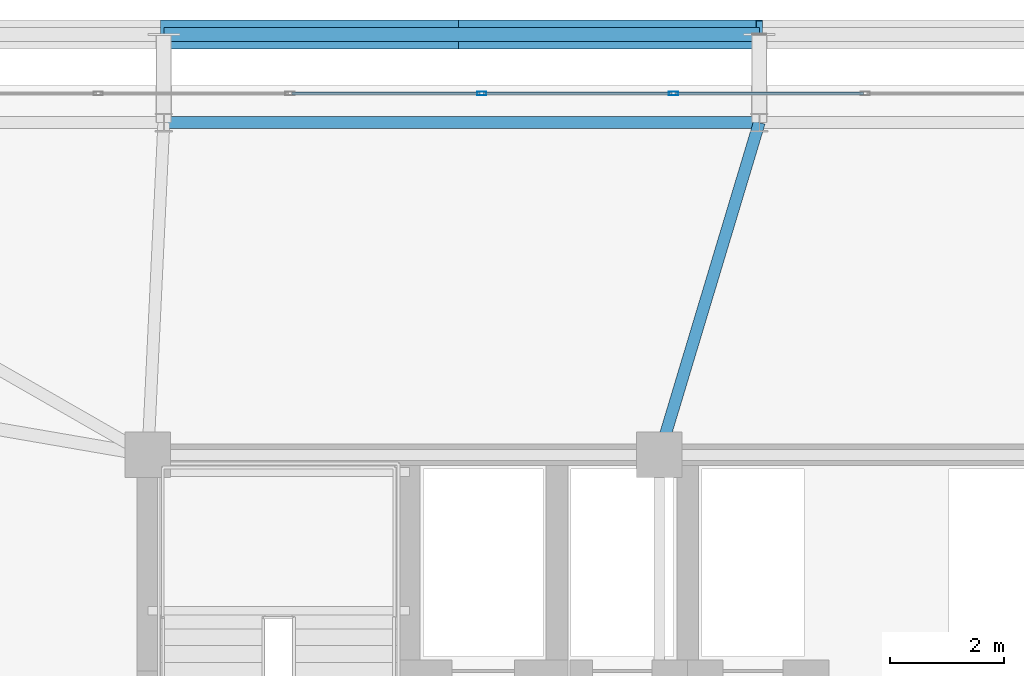
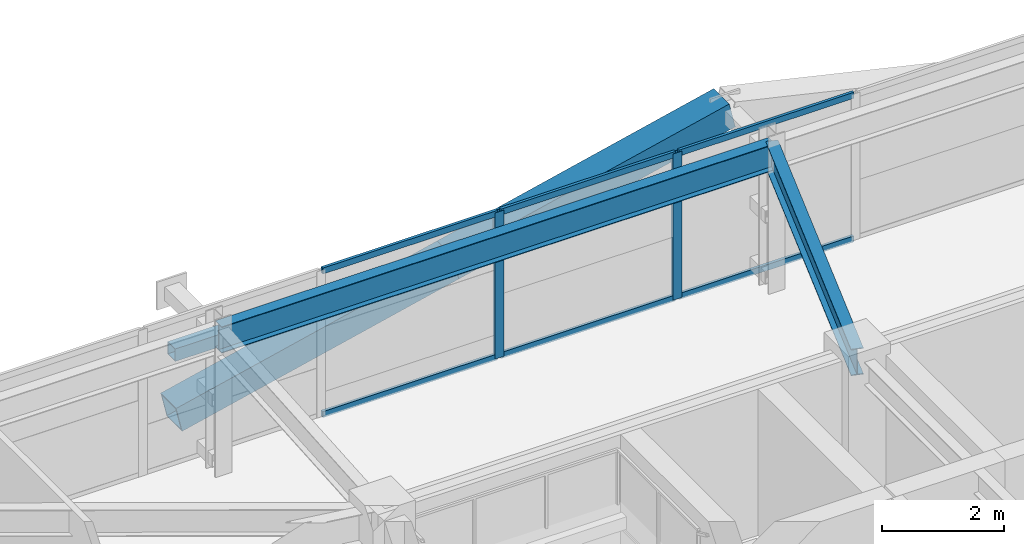
# One storey, part 36 of 59: 11 members, 2 beams, 1 element without a shape of its own.
"""IFC4 building model written with IfcOpenShell, lengths in metres."""

from ifc_helpers import new_model, si_unit, direction, frame, origin, origin_2d, place, context, subcontext, project, spatial, hollow_rectangle, i_section, extrude, source, transform, mapped, material, layer, layer_set, material_profile, profile_set, type_object, element, aggregate, save


model = new_model("IFC4")

# Units and contexts
model_context = context("Model", 3, precision=1e-05, world=origin(), true_north=direction((0.0, 1.0)))
body_context = subcontext(model_context, "Body", "Model", "MODEL_VIEW")
ifc_project = project(units=[si_unit("LENGTHUNIT", "METRE"), si_unit("AREAUNIT", "SQUARE_METRE"), si_unit("VOLUMEUNIT", "CUBIC_METRE"), si_unit("PLANEANGLEUNIT", "RADIAN"), si_unit("MASSUNIT", "GRAM", prefix="KILO")], contexts=[model_context])

# Site, building, storey
site_placement = place(None, origin())
site = spatial("IfcSite", under=ifc_project, at=site_placement, CompositionType="ELEMENT")
building_placement = place(site_placement, origin())
building = spatial("IfcBuilding", under=site, at=building_placement, Name="Taldren Reach Tower", CompositionType="ELEMENT")
storey_placement = place(building_placement, frame((0.0, 0.0, 45.14990234375)))
storey = spatial("IfcBuildingStorey", under=building, at=storey_placement, Name="L13", CompositionType="ELEMENT", Elevation=45.14990234375)

# Beams
ifc_material_1 = material(Name="Steel Gr 350 (350PLUS)", Category="steel")
ifc_material_profile_1 = material_profile(ifc_material_1, i_section(OverallWidth=0.208984375, OverallDepth=0.528076171875, WebThickness=0.009521484375, FlangeThickness=0.01318359375, at=origin_2d()), Name="530UB82.0")
ifc_profile_set_1 = profile_set([ifc_material_profile_1], Name="Steel Gr 350 (350PLUS)")
beam_type_1 = type_object("IfcBeamType", Name="SP-UB530B", PredefinedType="SPANDREL", material=ifc_profile_set_1)
shared_shape_1 = source(origin(), body_context, "Body", "SweptSolid", [
    extrude(i_section(OverallWidth=0.208984375, OverallDepth=0.528076171875, WebThickness=0.009521484375, FlangeThickness=0.01318359375, at=origin_2d()), origin(), (0.0, 0.0, 1.0), 10.47998046875),
])
beam_1_placement = place(storey_placement, frame((29.760009765625, 37.85009765625, 2.666015625), z_axis=(-1.0, 0.0, 0.0), x_axis=(0.0, -1.0, 0.0)))
element("IfcBeam", 1, at=beam_1_placement, inside=storey, type_object=beam_type_1, Name="Perimeter spandrel B1 N3-N2 L13", PredefinedType="SPANDREL", context=body_context, shape_type="MappedRepresentation", body=[
    mapped(shared_shape_1, transform((0.0, 0.0, 0.0), scale=1.0)),
])
ifc_material_profile_2 = material_profile(ifc_material_1, i_section(OverallWidth=0.208984375, OverallDepth=0.532958984375, WebThickness=0.01025390625, FlangeThickness=0.015625, at=origin_2d()), Name="530UB92.4")
ifc_profile_set_2 = profile_set([ifc_material_profile_2], Name="Steel Gr 350 (350PLUS)")
beam_type_2 = type_object("IfcBeamType", Name="BM-UB530A", PredefinedType="BEAM", material=ifc_profile_set_2)
shared_shape_2 = source(origin(), body_context, "Body", "SweptSolid", [
    extrude(i_section(OverallWidth=0.208984375, OverallDepth=0.532958984375, WebThickness=0.01025390625, FlangeThickness=0.015625, at=origin_2d()), origin(), (0.0, 0.0, 1.0), 6.109130859375),
])
beam_2_placement = place(storey_placement, frame((28.0, 32.0, 2.66357421875), z_axis=(0.288095735745, 0.957601611864, 0.0), x_axis=(-0.957601611864, 0.288095735745, 0.0)))
element("IfcBeam", 2, at=beam_2_placement, inside=storey, type_object=beam_type_2, Name="Primary floor girder B1-N3 L13", PredefinedType="BEAM", context=body_context, shape_type="MappedRepresentation", body=[
    mapped(shared_shape_2, transform((0.0, 0.0, 0.0), scale=1.0)),
])

# Members
ifc_material_2 = material(Name="Steel Gr 450 (C450L0)", Category="steel")
ifc_material_profile_3 = material_profile(ifc_material_2, hollow_rectangle(XDim=0.510009765625, YDim=0.510009765625, WallThickness=0.02001953125, at=origin_2d()), Name="510x510x20.0SHS")
ifc_profile_set_3 = profile_set([ifc_material_profile_3], Name="Steel Gr 450 (C450L0)")
member_type_1 = type_object("IfcMemberType", Name="MB-EXO508", PredefinedType="BRACE", material=ifc_profile_set_3)
shared_shape_3 = source(origin(), body_context, "Body", "SweptSolid", [
    extrude(hollow_rectangle(XDim=0.510009765625, YDim=0.510009765625, WallThickness=0.02001953125, at=origin_2d()), origin(), (0.0, 0.0, 1.0), 5.37890625),
])
for number, where, z_axis, x_axis, name in (
    (3, (19.280029296875, 39.39990234375, 0.22021484375), (0.974161966843, 0.0, 0.225850531007), (0.0, 1.0, 0.0), "Exoskeleton Diagrid Brace B1-N2 L13"),
    (4, (24.52001953125, 39.39990234375, 1.43505859375), (0.97415197996, 0.0, 0.225893603143), (0.0, 1.0, 0.0), "Exoskeleton Diagrid Brace B1-N2 L13"),
):
    element("IfcMember", number, at=place(storey_placement, frame(where, z_axis=z_axis, x_axis=x_axis)), inside=storey, type_object=member_type_1, Name=name, PredefinedType="BRACE", context=body_context, shape_type="MappedRepresentation", body=[
        mapped(shared_shape_3, transform((0.0, 0.0, 0.0), scale=1.0)),
    ])
ifc_material_3 = material(Name="Steel Gr 350 (C350L0)", Category="steel")
ifc_material_profile_4 = material_profile(ifc_material_3, hollow_rectangle(XDim=0.25, YDim=0.25, WallThickness=0.010009765625, at=origin_2d()), Name="250x250x10.0SHS")
ifc_profile_set_4 = profile_set([ifc_material_profile_4], Name="Steel Gr 350 (C350L0)")
member_type_2 = type_object("IfcMemberType", Name="MB-POST250", PredefinedType="POST", material=ifc_profile_set_4)
shared_shape_4 = source(origin(), body_context, "Body", "SweptSolid", [
    extrude(hollow_rectangle(XDim=0.25, YDim=0.25, WallThickness=0.010009765625, at=origin_2d()), origin(), (0.0, 0.0, 1.0), 10.47998046875),
])
member_1_placement = place(storey_placement, frame((19.280029296875, 39.39990234375, 1.43505859375), z_axis=(1.0, 0.0, 0.0), x_axis=(0.0, 1.0, 0.0)))
element("IfcMember", 5, at=member_1_placement, inside=storey, type_object=member_type_2, Name="Exoskeleton mid-height ring chord B1-N2 L13", PredefinedType="POST", context=body_context, shape_type="MappedRepresentation", body=[
    mapped(shared_shape_4, transform((0.0, 0.0, 0.0), scale=1.0)),
])

# Curtain wall, members
ifc_material_4 = material(Name="Aluminium and Low-E Glass Unitised System", Category="aluminium")
ifc_layer = layer(ifc_material_4, 0.159912109375)
ifc_layer_set = layer_set([ifc_layer], Name="Aluminium and Low-E Glass Unitised System")
curtain_wall_type = type_object("IfcCurtainWallType", Name="CW-SYS-2", PredefinedType="NOTDEFINED", material=ifc_layer_set)
curtain_wall_placement = place(storey_placement, origin())
curtain_wall = element("IfcCurtainWall", 6, at=curtain_wall_placement, inside=storey, type_object=curtain_wall_type, Name="Unitised curtain wall CW-L13-N", PredefinedType="NOTDEFINED")
ifc_material_5 = material(Name="Anodised Aluminium 6063-T6", Category="aluminium")
ifc_material_profile_5 = material_profile(ifc_material_5, hollow_rectangle(XDim=0.054931640625, YDim=0.1201171875, WallThickness=0.0029296875, at=origin_2d()), Name="ALU-120x55x3RHS")
ifc_profile_set_5 = profile_set([ifc_material_profile_5], Name="Anodised Aluminium 6063-T6")
member_type_3 = type_object("IfcMemberType", Name="CW-TRN-135", PredefinedType="USERDEFINED", material=ifc_profile_set_5)
shared_shape_5 = source(origin(), body_context, "Body", "SweptSolid", [
    extrude(hollow_rectangle(XDim=0.054931640625, YDim=0.1201171875, WallThickness=0.0029296875, at=origin_2d()), origin(), (0.0, 0.0, 1.0), 3.31005859375),
])
member_2_placement = place(storey_placement, frame((31.592529296875, 38.360107421875, 0.027587890625), z_axis=(-1.0, 0.0, 0.0), x_axis=(0.0, -1.0, 0.0)))
member_2 = element("IfcMember", 7, at=member_2_placement, type_object=member_type_3, Name="CW-2 transom 10.1", ObjectType="TRANSOM", PredefinedType="USERDEFINED", context=body_context, shape_type="MappedRepresentation", body=[
    mapped(shared_shape_5, transform((0.0, 0.0, 0.0), scale=1.0)),
])
member_3_placement = place(storey_placement, frame((31.592529296875, 38.360107421875, 2.902587890625), z_axis=(-1.0, 0.0, 0.0), x_axis=(0.0, -1.0, 0.0)))
member_3 = element("IfcMember", 8, at=member_3_placement, type_object=member_type_3, Name="CW-2 transom 10.2", ObjectType="TRANSOM", PredefinedType="USERDEFINED", context=body_context, shape_type="MappedRepresentation", body=[
    mapped(shared_shape_5, transform((0.0, 0.0, 0.0), scale=1.0)),
])
member_4_placement = place(storey_placement, frame((28.217529296875, 38.360107421875, 0.027587890625), z_axis=(-1.0, 0.0, 0.0), x_axis=(0.0, -1.0, 0.0)))
member_4 = element("IfcMember", 9, at=member_4_placement, type_object=member_type_3, Name="CW-2 transom 11.1", ObjectType="TRANSOM", PredefinedType="USERDEFINED", context=body_context, shape_type="MappedRepresentation", body=[
    mapped(shared_shape_5, transform((0.0, 0.0, 0.0), scale=1.0)),
])
member_5_placement = place(storey_placement, frame((28.217529296875, 38.360107421875, 2.902587890625), z_axis=(-1.0, 0.0, 0.0), x_axis=(0.0, -1.0, 0.0)))
member_5 = element("IfcMember", 10, at=member_5_placement, type_object=member_type_3, Name="CW-2 transom 11.2", ObjectType="TRANSOM", PredefinedType="USERDEFINED", context=body_context, shape_type="MappedRepresentation", body=[
    mapped(shared_shape_5, transform((0.0, 0.0, 0.0), scale=1.0)),
])
member_6_placement = place(storey_placement, frame((24.842529296875, 38.360107421875, 0.027587890625), z_axis=(-1.0, 0.0, 0.0), x_axis=(0.0, -1.0, 0.0)))
member_6 = element("IfcMember", 11, at=member_6_placement, type_object=member_type_3, Name="CW-2 transom 12.1", ObjectType="TRANSOM", PredefinedType="USERDEFINED", context=body_context, shape_type="MappedRepresentation", body=[
    mapped(shared_shape_5, transform((0.0, 0.0, 0.0), scale=1.0)),
])
member_7_placement = place(storey_placement, frame((24.842529296875, 38.360107421875, 2.902587890625), z_axis=(-1.0, 0.0, 0.0), x_axis=(0.0, -1.0, 0.0)))
member_7 = element("IfcMember", 12, at=member_7_placement, type_object=member_type_3, Name="CW-2 transom 12.2", ObjectType="TRANSOM", PredefinedType="USERDEFINED", context=body_context, shape_type="MappedRepresentation", body=[
    mapped(shared_shape_5, transform((0.0, 0.0, 0.0), scale=1.0)),
])
ifc_material_profile_6 = material_profile(ifc_material_5, hollow_rectangle(XDim=0.06494140625, YDim=0.1650390625, WallThickness=0.00390625, at=origin_2d()), Name="ALU-165x65x4RHS")
ifc_profile_set_6 = profile_set([ifc_material_profile_6], Name="Anodised Aluminium 6063-T6")
member_type_4 = type_object("IfcMemberType", Name="CW-MUL-165", PredefinedType="MULLION", material=ifc_profile_set_6)
shared_shape_6 = source(origin(), body_context, "Body", "SweptSolid", [
    extrude(hollow_rectangle(XDim=0.06494140625, YDim=0.1650390625, WallThickness=0.00390625, at=origin_2d()), origin(), (0.0, 0.0, 1.0), 2.93017578125),
])
member_8_placement = place(storey_placement, frame((28.25, 38.360107421875, 0.0), z_axis=(0.0, 0.0, 1.0), x_axis=(0.0, -1.0, 0.0)))
member_8 = element("IfcMember", 13, at=member_8_placement, type_object=member_type_4, Name="CW-2 mullion 11", PredefinedType="MULLION", context=body_context, shape_type="MappedRepresentation", body=[
    mapped(shared_shape_6, transform((0.0, 0.0, 0.0), scale=1.0)),
])
member_9_placement = place(storey_placement, frame((24.875, 38.360107421875, 0.0), z_axis=(0.0, 0.0, 1.0), x_axis=(0.0, -1.0, 0.0)))
member_9 = element("IfcMember", 14, at=member_9_placement, type_object=member_type_4, Name="CW-2 mullion 12", PredefinedType="MULLION", context=body_context, shape_type="MappedRepresentation", body=[
    mapped(shared_shape_6, transform((0.0, 0.0, 0.0), scale=1.0)),
])
aggregate(curtain_wall, [member_8, member_9, member_2, member_3, member_4, member_5, member_6, member_7])

save(model, "model.ifc")
